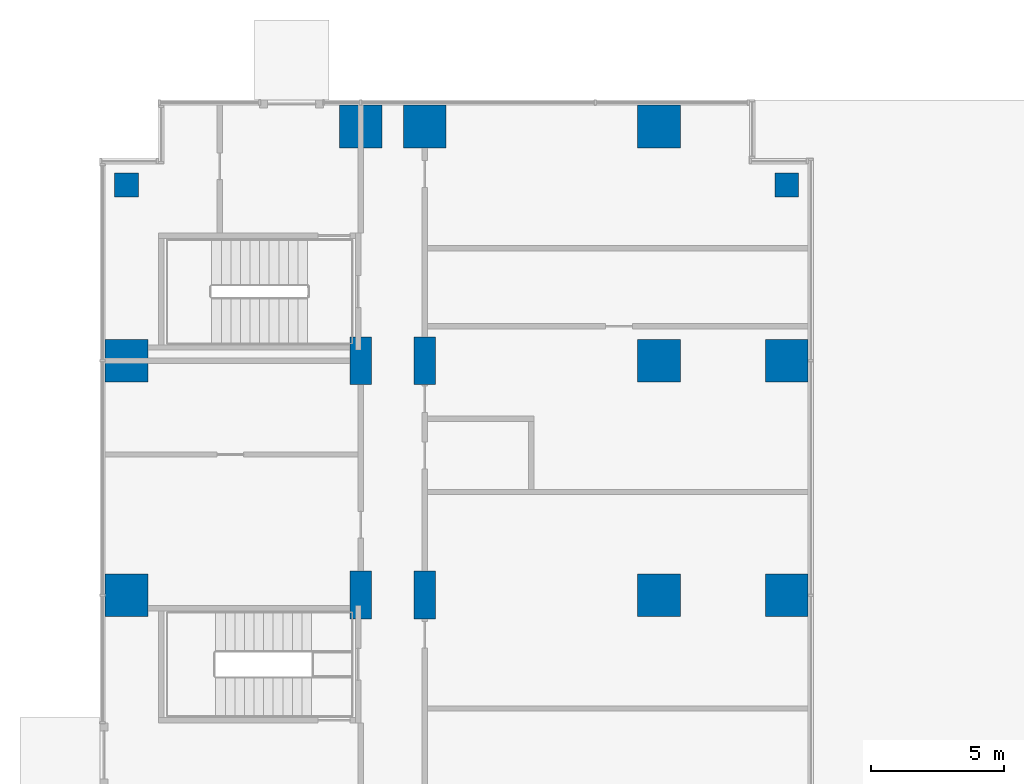
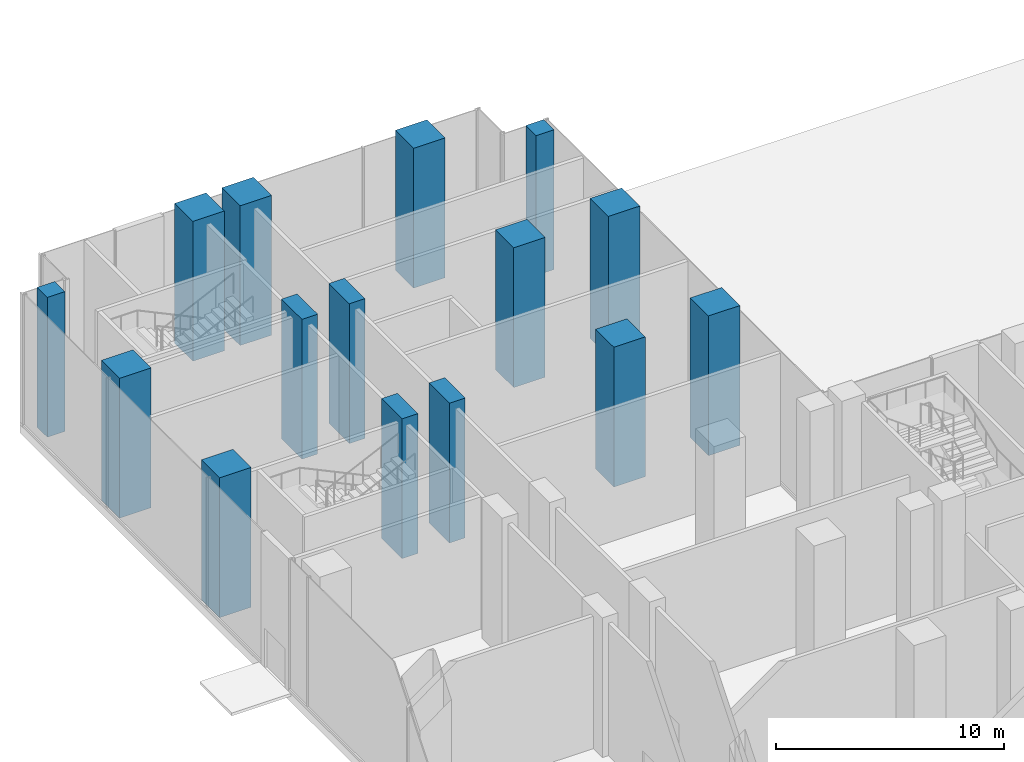
# One storey, part 7 of 41: 15 columns.
"""IFC4 building model written with IfcOpenShell, lengths in metres."""

from ifc_helpers import new_model, si_unit, direction, frame, origin, origin_2d, place, context, subcontext, project, spatial, rectangle, extrude, material, material_profile, profile_set, type_object, element, save


model = new_model("IFC4")

# Units and contexts
model_context = context("Model", 3, precision=1e-05, world=origin(), true_north=direction((0.0, 1.0)))
body_context = subcontext(model_context, "Body", "Model", "MODEL_VIEW")
ifc_project = project(units=[si_unit("LENGTHUNIT", "METRE"), si_unit("AREAUNIT", "SQUARE_METRE"), si_unit("VOLUMEUNIT", "CUBIC_METRE"), si_unit("PLANEANGLEUNIT", "RADIAN"), si_unit("MASSUNIT", "GRAM", prefix="KILO")], contexts=[model_context])

# Site, building, storey
site_placement = place(None, origin())
site = spatial("IfcSite", under=ifc_project, at=site_placement, CompositionType="ELEMENT")
building_placement = place(site_placement, origin())
building = spatial("IfcBuilding", under=site, at=building_placement, Name="Kemantara Hotel Tower", CompositionType="ELEMENT")
storey_placement = place(building_placement, origin())
storey = spatial("IfcBuildingStorey", under=building, at=storey_placement, Name="L00", CompositionType="ELEMENT", Elevation=0.0)

# Columns
ifc_material = material(Name="Concrete fc 70 MPa", Category="concrete")
ifc_material_profile_1 = material_profile(ifc_material, rectangle(XDim=1.60009765625, YDim=1.60009765625, at=origin_2d()), Name="RC 1600X1600")
ifc_profile_set_1 = profile_set([ifc_material_profile_1], Name="Concrete fc 70 MPa")
column_type_1 = type_object("IfcColumnType", Name="RC COLUMN 1600X1600 FC70", PredefinedType="COLUMN", material=ifc_profile_set_1)
for number, where, z_axis, x_axis, name in (
    (1, (1.0, 62.60009765625, 0.0), (0.0, 0.0, 1.0), (1.0, 0.0, 0.0), "COLUMN 1/H L00"),
    (2, (1.0, 71.39990234375, 0.0), (0.0, 0.0, 1.0), (1.0, 0.0, 0.0), "COLUMN 1/J L00"),
    (3, (9.800048828125, 80.199951171875, 0.0), (0.0, 0.0, 1.0), (1.0, 0.0, 0.0), "COLUMN 2/K L00"),
    (4, (12.199951171875, 80.199951171875, 0.0), (0.0, 0.0, 1.0), (1.0, 0.0, 0.0), "COLUMN 2A/K L00"),
    (5, (21.0, 62.60009765625, 0.0), (0.0, 0.0, 1.0), (1.0, 0.0, 0.0), "COLUMN 3/H L00"),
    (6, (21.0, 71.39990234375, 0.0), (0.0, 0.0, 1.0), (1.0, 0.0, 0.0), "COLUMN 3/J L00"),
    (7, (21.0, 80.199951171875, 0.0), (0.0, 0.0, 1.0), (1.0, 0.0, 0.0), "COLUMN 3/K L00"),
    (8, (25.800048828125, 62.60009765625, 0.0), (0.0, 0.0, 1.0), (1.0, 0.0, 0.0), "COLUMN 3A/H L00"),
    (9, (25.800048828125, 71.39990234375, 0.0), (0.0, 0.0, 1.0), (1.0, 0.0, 0.0), "COLUMN 3A/J L00"),
):
    element("IfcColumn", number, at=place(storey_placement, frame(where, z_axis=z_axis, x_axis=x_axis)), inside=storey, type_object=column_type_1, Name=name, PredefinedType="COLUMN", context=body_context, shape_type="SweptSolid", body=[
        extrude(rectangle(XDim=1.60009765625, YDim=1.60009765625, at=origin_2d()), origin(), (0.0, 0.0, 1.0), 7.5),
    ])
ifc_material_profile_2 = material_profile(ifc_material, rectangle(XDim=1.800048828125, YDim=0.800048828125, at=origin_2d()), Name="RC 1800X800")
ifc_profile_set_2 = profile_set([ifc_material_profile_2], Name="Concrete fc 70 MPa")
column_type_2 = type_object("IfcColumnType", Name="RC COLUMN 1800X800 FC70", PredefinedType="COLUMN", material=ifc_profile_set_2)
for number, where, z_axis, x_axis, name in (
    (10, (9.800048828125, 62.60009765625, 0.0), (0.0, 0.0, 1.0), (0.0, 1.0, 0.0), "COLUMN 2/H L00"),
    (11, (9.800048828125, 71.39990234375, 0.0), (0.0, 0.0, 1.0), (0.0, 1.0, 0.0), "COLUMN 2/J L00"),
    (12, (12.199951171875, 62.60009765625, 0.0), (0.0, 0.0, 1.0), (0.0, 1.0, 0.0), "COLUMN 2A/H L00"),
    (13, (12.199951171875, 71.39990234375, 0.0), (0.0, 0.0, 1.0), (0.0, 1.0, 0.0), "COLUMN 2A/J L00"),
):
    element("IfcColumn", number, at=place(storey_placement, frame(where, z_axis=z_axis, x_axis=x_axis)), inside=storey, type_object=column_type_2, Name=name, PredefinedType="COLUMN", context=body_context, shape_type="SweptSolid", body=[
        extrude(rectangle(XDim=1.800048828125, YDim=0.800048828125, at=origin_2d()), origin(), (0.0, 0.0, 1.0), 7.5),
    ])
ifc_material_profile_3 = material_profile(ifc_material, rectangle(XDim=0.89990234375, YDim=0.89990234375, at=origin_2d()), Name="RC 900X900")
ifc_profile_set_3 = profile_set([ifc_material_profile_3], Name="Concrete fc 70 MPa")
column_type_3 = type_object("IfcColumnType", Name="RC COLUMN 900X900 FC70", PredefinedType="COLUMN", material=ifc_profile_set_3)
for number, where, z_axis, x_axis, name in (
    (14, (1.0, 78.0, 0.0), (0.0, 0.0, 1.0), (1.0, 0.0, 0.0), "COLUMN notch corner L00"),
    (15, (25.800048828125, 78.0, 0.0), (0.0, 0.0, 1.0), (1.0, 0.0, 0.0), "COLUMN notch corner L00"),
):
    element("IfcColumn", number, at=place(storey_placement, frame(where, z_axis=z_axis, x_axis=x_axis)), inside=storey, type_object=column_type_3, Name=name, PredefinedType="COLUMN", context=body_context, shape_type="SweptSolid", body=[
        extrude(rectangle(XDim=0.89990234375, YDim=0.89990234375, at=origin_2d()), origin(), (0.0, 0.0, 1.0), 7.5),
    ])

save(model, "model.ifc")
